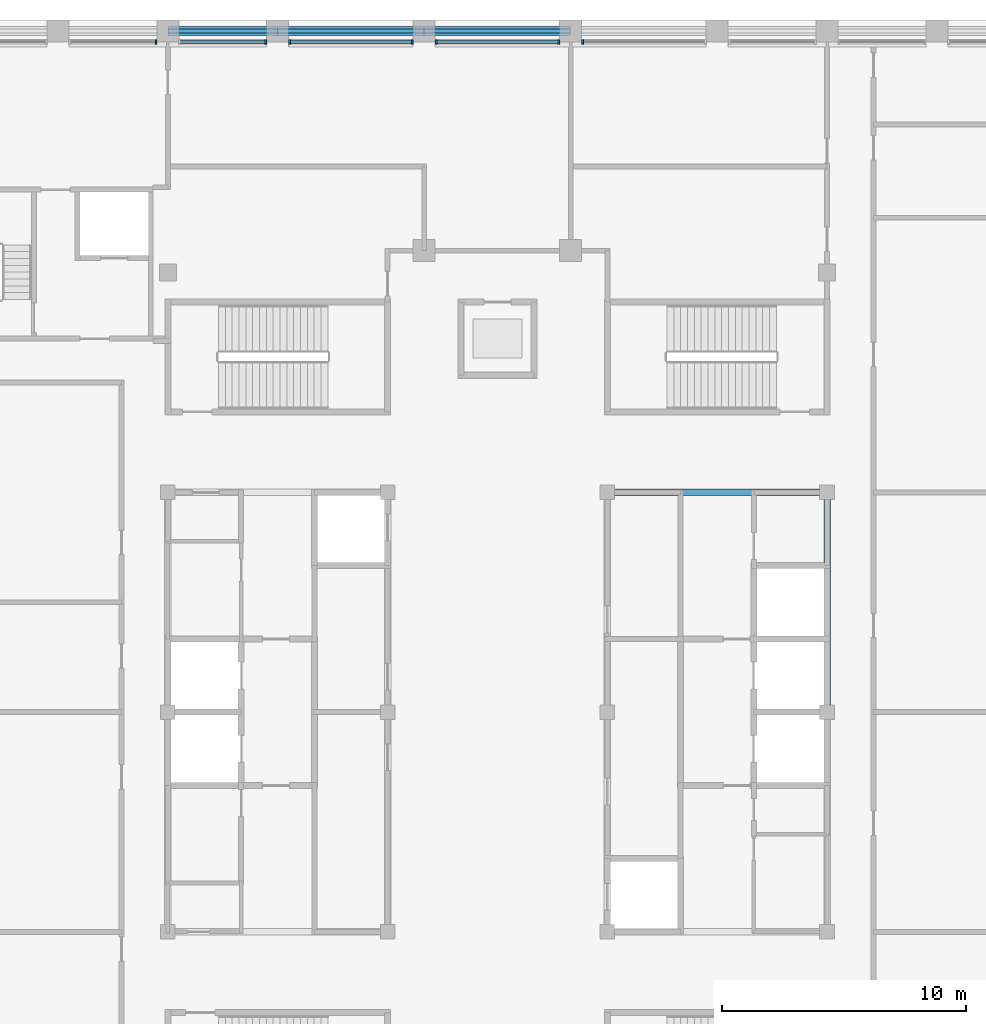
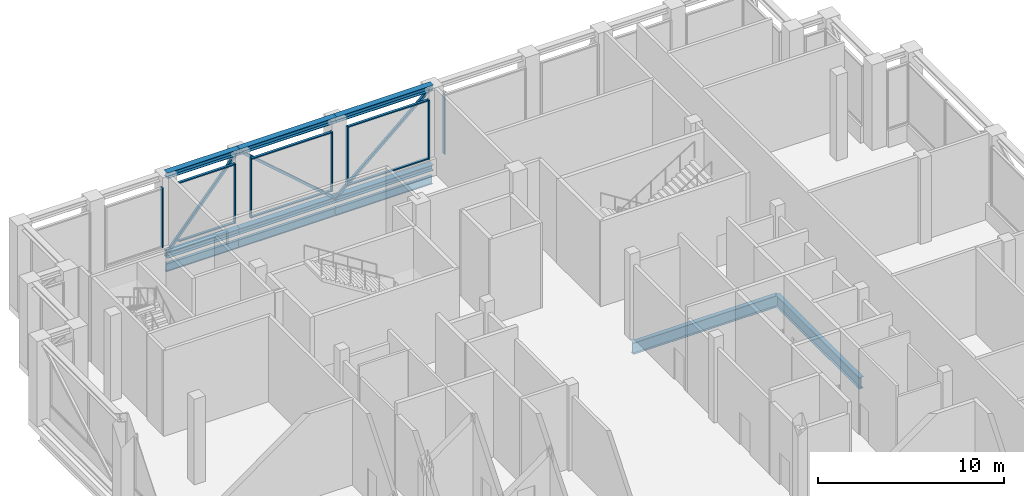
# One storey, part 7 of 17: 22 members, 5 beams, 5 elements without a shape of their own.
"""IFC4 building model written with IfcOpenShell, lengths in metres."""

from ifc_helpers import new_model, si_unit, direction, frame, origin, origin_2d, place, context, subcontext, project, spatial, rectangle, hollow_rectangle, i_section, extrude, material, layer, layer_set, material_profile, profile_set, type_object, element, aggregate, save


model = new_model("IFC4")

# Units and contexts
model_context = context("Model", 3, precision=1e-05, world=origin(), true_north=direction((0.0, 1.0)))
body_context = subcontext(model_context, "Body", "Model", "MODEL_VIEW")
ifc_project = project(units=[si_unit("LENGTHUNIT", "METRE"), si_unit("AREAUNIT", "SQUARE_METRE"), si_unit("VOLUMEUNIT", "CUBIC_METRE"), si_unit("PLANEANGLEUNIT", "RADIAN"), si_unit("MASSUNIT", "GRAM", prefix="KILO")], contexts=[model_context])

# Site, building, storey
site_placement = place(None, origin())
site = spatial("IfcSite", under=ifc_project, at=site_placement, CompositionType="ELEMENT")
building_placement = place(site_placement, origin())
building = spatial("IfcBuilding", under=site, at=building_placement, Name="Corbelhall Arena Tower", CompositionType="ELEMENT")
storey_placement = place(building_placement, frame((0.0, 0.0, 350.0)))
storey = spatial("IfcBuildingStorey", under=building, at=storey_placement, Name="L77", CompositionType="ELEMENT", Elevation=350.0)

# Curtain wall, member
ifc_material_1 = material(Name="Aluminium black anodised", Category="aluminium")
ifc_layer = layer(ifc_material_1, 0.199951171875)
ifc_layer_set = layer_set([ifc_layer], Name="EV-CW5 Sky band glazing")
curtain_wall_type = type_object("IfcCurtainWallType", Name="EV-CW5 Sky band glazing", PredefinedType="NOTDEFINED", material=ifc_layer_set)
curtain_wall_1_placement = place(storey_placement, origin())
curtain_wall_1 = element("IfcCurtainWall", 1, at=curtain_wall_1_placement, inside=storey, type_object=curtain_wall_type, Name="Curtain wall CW5C", PredefinedType="NOTDEFINED")
ifc_material_profile_1 = material_profile(ifc_material_1, rectangle(XDim=0.199951171875, YDim=0.074951171875, at=origin_2d()))
ifc_profile_set_1 = profile_set([ifc_material_profile_1], Name="Aluminium black anodised")
member_type_1 = type_object("IfcMemberType", Name="EV-CW5-MULLION", PredefinedType="MULLION", material=ifc_profile_set_1)
member_1_placement = place(storey_placement, frame((3.487548828125, 27.449951171875, 1.10009765625), z_axis=(0.0, 0.0, 1.0), x_axis=(0.0, -1.0, 0.0)))
member_1 = element("IfcMember", 2, at=member_1_placement, type_object=member_type_1, Name="CW5C mullion 2", PredefinedType="MULLION", context=body_context, shape_type="SweptSolid", body=[
    extrude(rectangle(XDim=0.199951171875, YDim=0.074951171875, at=origin_2d()), origin(), (0.0, 0.0, 1.0), 3.8994140625),
])
aggregate(curtain_wall_1, [member_1])

# Curtain wall, members
curtain_wall_2_placement = place(storey_placement, origin())
curtain_wall_2 = element("IfcCurtainWall", 3, at=curtain_wall_2_placement, inside=storey, type_object=curtain_wall_type, Name="Curtain wall CW5C", PredefinedType="NOTDEFINED")
member_2_placement = place(storey_placement, frame((2.512451171875, 27.449951171875, 1.10009765625), z_axis=(0.0, 0.0, 1.0), x_axis=(0.0, -1.0, 0.0)))
member_2 = element("IfcMember", 4, at=member_2_placement, type_object=member_type_1, Name="CW5C mullion 1", PredefinedType="MULLION", context=body_context, shape_type="SweptSolid", body=[
    extrude(rectangle(XDim=0.199951171875, YDim=0.074951171875, at=origin_2d()), origin(), (0.0, 0.0, 1.0), 3.8994140625),
])
member_3_placement = place(storey_placement, frame((-2.512451171875, 27.449951171875, 1.10009765625), z_axis=(0.0, 0.0, 1.0), x_axis=(0.0, -1.0, 0.0)))
member_3 = element("IfcMember", 5, at=member_3_placement, type_object=member_type_1, Name="CW5C mullion 2", PredefinedType="MULLION", context=body_context, shape_type="SweptSolid", body=[
    extrude(rectangle(XDim=0.199951171875, YDim=0.074951171875, at=origin_2d()), origin(), (0.0, 0.0, 1.0), 3.8994140625),
])

curtain_wall_3_placement = place(storey_placement, origin())
curtain_wall_3 = element("IfcCurtainWall", 6, at=curtain_wall_3_placement, inside=storey, type_object=curtain_wall_type, Name="Curtain wall CW5C", PredefinedType="NOTDEFINED")
member_4_placement = place(storey_placement, frame((-3.487548828125, 27.449951171875, 1.10009765625), z_axis=(0.0, 0.0, 1.0), x_axis=(0.0, -1.0, 0.0)))
member_4 = element("IfcMember", 7, at=member_4_placement, type_object=member_type_1, Name="CW5C mullion 1", PredefinedType="MULLION", context=body_context, shape_type="SweptSolid", body=[
    extrude(rectangle(XDim=0.199951171875, YDim=0.074951171875, at=origin_2d()), origin(), (0.0, 0.0, 1.0), 3.8994140625),
])
member_5_placement = place(storey_placement, frame((-8.512451171875, 27.449951171875, 1.10009765625), z_axis=(0.0, 0.0, 1.0), x_axis=(0.0, -1.0, 0.0)))
member_5 = element("IfcMember", 8, at=member_5_placement, type_object=member_type_1, Name="CW5C mullion 2", PredefinedType="MULLION", context=body_context, shape_type="SweptSolid", body=[
    extrude(rectangle(XDim=0.199951171875, YDim=0.074951171875, at=origin_2d()), origin(), (0.0, 0.0, 1.0), 3.8994140625),
])

# Curtain wall, member
curtain_wall_4_placement = place(storey_placement, origin())
curtain_wall_4 = element("IfcCurtainWall", 9, at=curtain_wall_4_placement, inside=storey, type_object=curtain_wall_type, Name="Curtain wall CW5A", PredefinedType="NOTDEFINED")
member_6_placement = place(storey_placement, frame((-9.487548828125, 27.449951171875, 1.10009765625), z_axis=(0.0, 0.0, 1.0), x_axis=(0.0, -1.0, 0.0)))
member_6 = element("IfcMember", 10, at=member_6_placement, type_object=member_type_1, Name="CW5A mullion 1", PredefinedType="MULLION", context=body_context, shape_type="SweptSolid", body=[
    extrude(rectangle(XDim=0.199951171875, YDim=0.074951171875, at=origin_2d()), origin(), (0.0, 0.0, 1.0), 3.8994140625),
])

curtain_wall_5_placement = place(storey_placement, origin())
curtain_wall_5 = element("IfcCurtainWall", 11, at=curtain_wall_5_placement, inside=storey, type_object=curtain_wall_type, Name="Curtain wall CW5A", PredefinedType="NOTDEFINED")
member_7_placement = place(storey_placement, frame((-13.987548828125, 27.449951171875, 1.10009765625), z_axis=(0.0, 0.0, 1.0), x_axis=(0.0, -1.0, 0.0)))
member_7 = element("IfcMember", 12, at=member_7_placement, type_object=member_type_1, Name="CW5A mullion 1", PredefinedType="MULLION", context=body_context, shape_type="SweptSolid", body=[
    extrude(rectangle(XDim=0.199951171875, YDim=0.074951171875, at=origin_2d()), origin(), (0.0, 0.0, 1.0), 3.8994140625),
])
aggregate(curtain_wall_5, [member_7])

# Member
ifc_material_profile_2 = material_profile(ifc_material_1, rectangle(XDim=0.14990234375, YDim=0.074951171875, at=origin_2d()))
ifc_profile_set_2 = profile_set([ifc_material_profile_2], Name="Aluminium black anodised")
member_type_2 = type_object("IfcMemberType", Name="EV-CW5-TRANSOM", PredefinedType="USERDEFINED", material=ifc_profile_set_2)
member_8_placement = place(storey_placement, frame((2.47509765625, 27.449951171875, 1.137451171875), z_axis=(-1.0, 0.0, 0.0), x_axis=(0.0, -1.0, 0.0)))
member_8 = element("IfcMember", 13, at=member_8_placement, type_object=member_type_2, Name="CW5C transom 1.1", ObjectType="transom", PredefinedType="USERDEFINED", context=body_context, shape_type="SweptSolid", body=[
    extrude(rectangle(XDim=0.14990234375, YDim=0.074951171875, at=origin_2d()), origin(), (0.0, 0.0, 1.0), 4.9501953125),
])

member_9_placement = place(storey_placement, frame((2.47509765625, 27.449951171875, 4.962158203125), z_axis=(-1.0, 0.0, 0.0), x_axis=(0.0, -1.0, 0.0)))
member_9 = element("IfcMember", 14, at=member_9_placement, type_object=member_type_2, Name="CW5C transom 1.2", ObjectType="transom", PredefinedType="USERDEFINED", context=body_context, shape_type="SweptSolid", body=[
    extrude(rectangle(XDim=0.14990234375, YDim=0.074951171875, at=origin_2d()), origin(), (0.0, 0.0, 1.0), 4.9501953125),
])

aggregate(curtain_wall_2, [member_2, member_3, member_8, member_9])

member_10_placement = place(storey_placement, frame((-3.52490234375, 27.449951171875, 1.137451171875), z_axis=(-1.0, 0.0, 0.0), x_axis=(0.0, -1.0, 0.0)))
member_10 = element("IfcMember", 15, at=member_10_placement, type_object=member_type_2, Name="CW5C transom 1.1", ObjectType="transom", PredefinedType="USERDEFINED", context=body_context, shape_type="SweptSolid", body=[
    extrude(rectangle(XDim=0.14990234375, YDim=0.074951171875, at=origin_2d()), origin(), (0.0, 0.0, 1.0), 4.9501953125),
])

member_11_placement = place(storey_placement, frame((-3.52490234375, 27.449951171875, 4.962158203125), z_axis=(-1.0, 0.0, 0.0), x_axis=(0.0, -1.0, 0.0)))
member_11 = element("IfcMember", 16, at=member_11_placement, type_object=member_type_2, Name="CW5C transom 1.2", ObjectType="transom", PredefinedType="USERDEFINED", context=body_context, shape_type="SweptSolid", body=[
    extrude(rectangle(XDim=0.14990234375, YDim=0.074951171875, at=origin_2d()), origin(), (0.0, 0.0, 1.0), 4.9501953125),
])

aggregate(curtain_wall_3, [member_4, member_5, member_10, member_11])

member_12_placement = place(storey_placement, frame((-9.52490234375, 27.449951171875, 1.137451171875), z_axis=(-1.0, 0.0, 0.0), x_axis=(0.0, -1.0, 0.0)))
member_12 = element("IfcMember", 17, at=member_12_placement, type_object=member_type_2, Name="CW5A transom 1.1", ObjectType="transom", PredefinedType="USERDEFINED", context=body_context, shape_type="SweptSolid", body=[
    extrude(rectangle(XDim=0.14990234375, YDim=0.074951171875, at=origin_2d()), origin(), (0.0, 0.0, 1.0), 3.4501953125),
])

member_13_placement = place(storey_placement, frame((-9.52490234375, 27.449951171875, 4.962158203125), z_axis=(-1.0, 0.0, 0.0), x_axis=(0.0, -1.0, 0.0)))
member_13 = element("IfcMember", 18, at=member_13_placement, type_object=member_type_2, Name="CW5A transom 1.2", ObjectType="transom", PredefinedType="USERDEFINED", context=body_context, shape_type="SweptSolid", body=[
    extrude(rectangle(XDim=0.14990234375, YDim=0.074951171875, at=origin_2d()), origin(), (0.0, 0.0, 1.0), 3.4501953125),
])

aggregate(curtain_wall_4, [member_6, member_12, member_13])

# Beams
ifc_material_2 = material(Name="Steel ASTM A992 Gr50", Category="steel")
ifc_material_profile_3 = material_profile(ifc_material_2, i_section(OverallWidth=0.2666015625, OverallDepth=0.761962890625, WebThickness=0.014404296875, FlangeThickness=0.021484375, at=origin_2d()))
ifc_profile_set_3 = profile_set([ifc_material_profile_3], Name="Steel ASTM A992 Gr50")
beam_type_1 = type_object("IfcBeamType", Name="ST-BEAM-W30x116", PredefinedType="BEAM", material=ifc_profile_set_3)
for number, where, z_axis, x_axis, name in (
    (19, (13.5, 0.0, -0.791015625), (0.0, 1.0, 0.0), (-1.0, 0.0, 0.0), "Beam CEE 10"),
    (20, (4.5, 9.0, -0.791015625), (1.0, 0.0, 0.0), (0.0, 1.0, 0.0), "Beam CEE 12"),
):
    element("IfcBeam", number, at=place(storey_placement, frame(where, z_axis=z_axis, x_axis=x_axis)), inside=storey, type_object=beam_type_1, Name=name, PredefinedType="BEAM", context=body_context, shape_type="SweptSolid", body=[
        extrude(i_section(OverallWidth=0.2666015625, OverallDepth=0.761962890625, WebThickness=0.014404296875, FlangeThickness=0.021484375, at=origin_2d()), origin(), (0.0, 0.0, 1.0), 9.0),
    ])

# Members
ifc_material_profile_4 = material_profile(ifc_material_2, i_section(OverallWidth=0.373291015625, OverallDepth=0.373291015625, WebThickness=0.016357421875, FlangeThickness=0.026123046875, at=origin_2d()))
ifc_profile_set_4 = profile_set([ifc_material_profile_4], Name="Steel ASTM A992 Gr50")
member_type_3 = type_object("IfcMemberType", Name="ST-CHORD-W14x132", PredefinedType="CHORD", material=ifc_profile_set_4)
for number, where, z_axis, x_axis, name in (
    (21, (-3.0, 27.89990234375, 0.186767578125), (1.0, 0.0, 0.0), (0.0, 1.0, 0.0), "Truss chord BC 11"),
    (22, (-3.0, 27.89990234375, 5.412841796875), (1.0, 0.0, 0.0), (0.0, 1.0, 0.0), "Truss chord TC 11"),
    (23, (-9.0, 27.89990234375, 0.186767578125), (1.0, 0.0, 0.0), (0.0, 1.0, 0.0), "Truss chord BC 12"),
    (24, (-9.0, 27.89990234375, 5.412841796875), (1.0, 0.0, 0.0), (0.0, 1.0, 0.0), "Truss chord TC 12"),
):
    element("IfcMember", number, at=place(storey_placement, frame(where, z_axis=z_axis, x_axis=x_axis)), inside=storey, type_object=member_type_3, Name=name, PredefinedType="CHORD", context=body_context, shape_type="SweptSolid", body=[
        extrude(i_section(OverallWidth=0.373291015625, OverallDepth=0.373291015625, WebThickness=0.016357421875, FlangeThickness=0.026123046875, at=origin_2d()), origin(), (0.0, 0.0, 1.0), 6.0),
    ])
for number, where, z_axis, x_axis, name in (
    (25, (-13.5, 27.89990234375, 0.186767578125), (1.0, 0.0, 0.0), (0.0, 1.0, 0.0), "Truss chord BC 13"),
    (26, (-13.5, 27.89990234375, 5.412841796875), (1.0, 0.0, 0.0), (0.0, 1.0, 0.0), "Truss chord TC 13"),
):
    element("IfcMember", number, at=place(storey_placement, frame(where, z_axis=z_axis, x_axis=x_axis)), inside=storey, type_object=member_type_3, Name=name, PredefinedType="CHORD", context=body_context, shape_type="SweptSolid", body=[
        extrude(i_section(OverallWidth=0.373291015625, OverallDepth=0.373291015625, WebThickness=0.016357421875, FlangeThickness=0.026123046875, at=origin_2d()), origin(), (0.0, 0.0, 1.0), 4.5),
    ])

# Beams
ifc_material_profile_5 = material_profile(ifc_material_2, i_section(OverallWidth=0.16650390625, OverallDepth=0.535888671875, WebThickness=0.01025390625, FlangeThickness=0.0166015625, at=origin_2d()))
ifc_profile_set_5 = profile_set([ifc_material_profile_5], Name="Steel ASTM A992 Gr50")
beam_type_2 = type_object("IfcBeamType", Name="ST-SPANDREL-W21x57", PredefinedType="SPANDREL", material=ifc_profile_set_5)
for number, where, z_axis, x_axis, name in (
    (27, (-3.0, 27.89990234375, -0.677978515625), (1.0, 0.0, 0.0), (0.0, 1.0, 0.0), "Beam SP 11"),
    (28, (-9.0, 27.89990234375, -0.677978515625), (1.0, 0.0, 0.0), (0.0, 1.0, 0.0), "Beam SP 12"),
):
    element("IfcBeam", number, at=place(storey_placement, frame(where, z_axis=z_axis, x_axis=x_axis)), inside=storey, type_object=beam_type_2, Name=name, PredefinedType="SPANDREL", context=body_context, shape_type="SweptSolid", body=[
        extrude(i_section(OverallWidth=0.16650390625, OverallDepth=0.535888671875, WebThickness=0.01025390625, FlangeThickness=0.0166015625, at=origin_2d()), origin(), (0.0, 0.0, 1.0), 6.0),
    ])
beam_placement = place(storey_placement, frame((-13.5, 27.89990234375, -0.677978515625), z_axis=(1.0, 0.0, 0.0), x_axis=(0.0, 1.0, 0.0)))
element("IfcBeam", 29, at=beam_placement, inside=storey, type_object=beam_type_2, Name="Beam SP 13", PredefinedType="SPANDREL", context=body_context, shape_type="SweptSolid", body=[
    extrude(i_section(OverallWidth=0.16650390625, OverallDepth=0.535888671875, WebThickness=0.01025390625, FlangeThickness=0.0166015625, at=origin_2d()), origin(), (0.0, 0.0, 1.0), 4.5),
])

# Members
ifc_material_3 = material(Name="Steel ASTM A500 Gr C", Category="steel")
ifc_material_profile_6 = material_profile(ifc_material_3, hollow_rectangle(XDim=0.15234375, YDim=0.15234375, WallThickness=0.0087890625, at=origin_2d()))
ifc_profile_set_6 = profile_set([ifc_material_profile_6], Name="Steel ASTM A500 Gr C")
member_type_4 = type_object("IfcMemberType", Name="ST-STRUT-HSS6x6x3/8", PredefinedType="STRUT", material=ifc_profile_set_6)
for number, where, z_axis, x_axis, name in (
    (30, (-3.0, 27.89990234375, 0.186767578125), (0.754064928794, 0.0, 0.656799880605), (0.0, 1.0, 0.0), "Truss diagonal 11"),
    (31, (-3.0, 27.89990234375, 0.186767578125), (-0.754064928794, 0.0, 0.656799880605), (0.0, -1.0, 0.0), "Truss diagonal 12"),
):
    element("IfcMember", number, at=place(storey_placement, frame(where, z_axis=z_axis, x_axis=x_axis)), inside=storey, type_object=member_type_4, Name=name, PredefinedType="STRUT", context=body_context, shape_type="SweptSolid", body=[
        extrude(hollow_rectangle(XDim=0.15234375, YDim=0.15234375, WallThickness=0.0087890625, at=origin_2d()), origin(), (0.0, 0.0, 1.0), 7.956787109375),
    ])
member_14_placement = place(storey_placement, frame((-13.5, 27.89990234375, 0.186767578125), z_axis=(0.65250393695, 0.0, 0.757785333894), x_axis=(0.0, 1.0, 0.0)))
element("IfcMember", 32, at=member_14_placement, inside=storey, type_object=member_type_4, Name="Truss diagonal 13", PredefinedType="STRUT", context=body_context, shape_type="SweptSolid", body=[
    extrude(hollow_rectangle(XDim=0.15234375, YDim=0.15234375, WallThickness=0.0087890625, at=origin_2d()), origin(), (0.0, 0.0, 1.0), 6.896484375),
])

save(model, "model.ifc")
